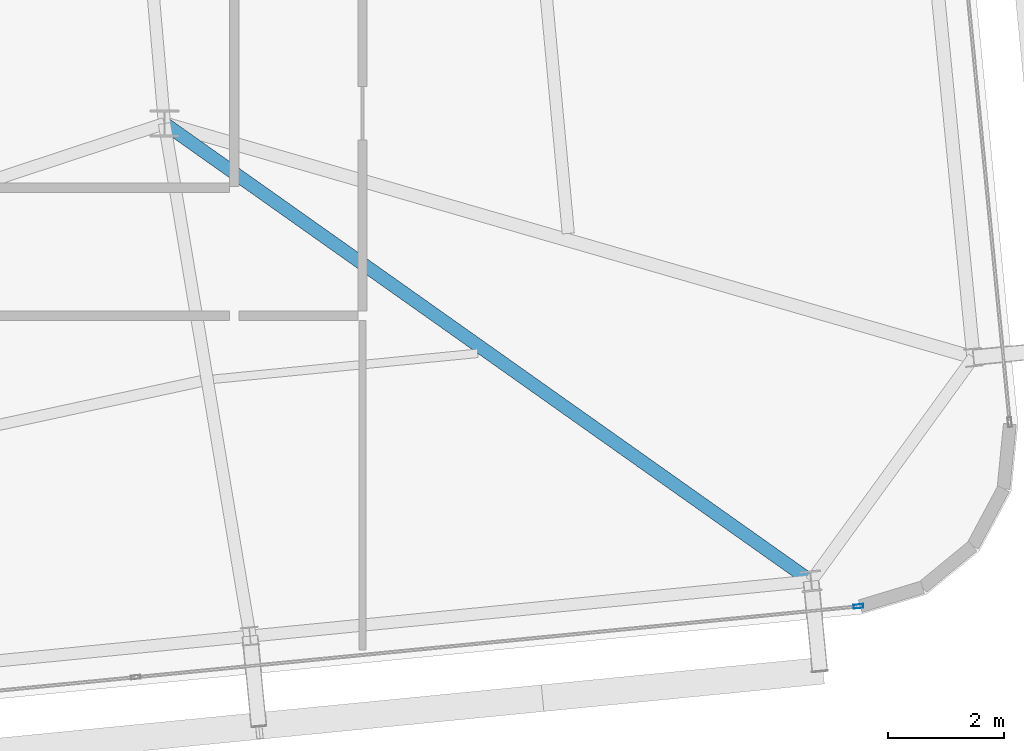
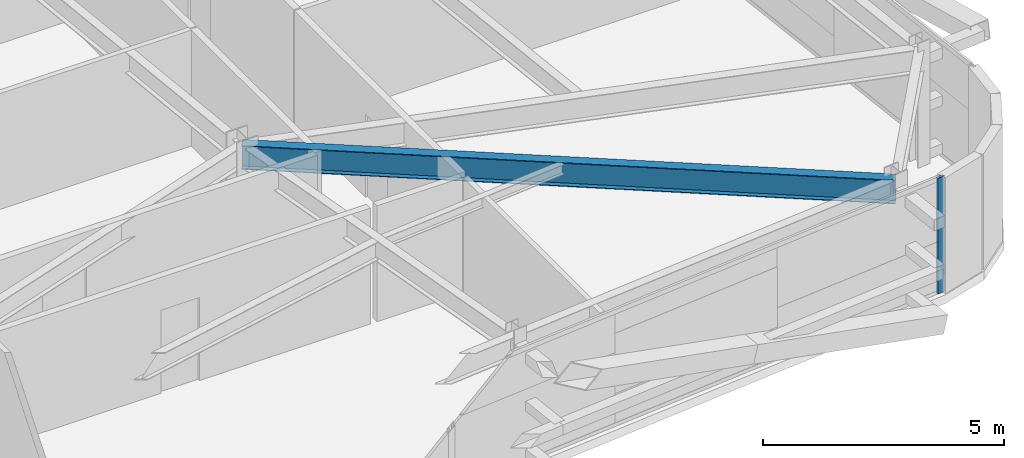
# One storey, part 17 of 47: 1 beam, 1 member, 1 element without a shape of its own.
"""IFC4 building model written with IfcOpenShell, lengths in metres."""

from ifc_helpers import new_model, si_unit, direction, frame, origin, origin_2d, place, context, subcontext, project, spatial, hollow_rectangle, i_section, extrude, source, transform, mapped, material, layer, layer_set, material_profile, profile_set, type_object, element, aggregate, save


model = new_model("IFC4")

# Units and contexts
model_context = context("Model", 3, precision=1e-05, world=origin(), true_north=direction((0.0, 1.0)))
body_context = subcontext(model_context, "Body", "Model", "MODEL_VIEW")
ifc_project = project(units=[si_unit("LENGTHUNIT", "METRE"), si_unit("AREAUNIT", "SQUARE_METRE"), si_unit("VOLUMEUNIT", "CUBIC_METRE"), si_unit("PLANEANGLEUNIT", "RADIAN"), si_unit("MASSUNIT", "GRAM", prefix="KILO")], contexts=[model_context])

# Site, building, storey
site_placement = place(None, origin())
site = spatial("IfcSite", under=ifc_project, at=site_placement, CompositionType="ELEMENT")
building_placement = place(site_placement, origin())
building = spatial("IfcBuilding", under=site, at=building_placement, Name="Taldren Reach Tower", CompositionType="ELEMENT")
storey_placement = place(building_placement, frame((0.0, 0.0, 90.300048828125)))
storey = spatial("IfcBuildingStorey", under=building, at=storey_placement, Name="L27", CompositionType="ELEMENT", Elevation=90.300048828125)

# Beam
ifc_material_1 = material(Name="Steel Gr 350 (350PLUS)", Category="steel")
ifc_material_profile_1 = material_profile(ifc_material_1, i_section(OverallWidth=0.22802734375, OverallDepth=0.60205078125, WebThickness=0.010498046875, FlangeThickness=0.014892578125, at=origin_2d()), Name="610UB101")
ifc_profile_set_1 = profile_set([ifc_material_profile_1], Name="Steel Gr 350 (350PLUS)")
beam_type = type_object("IfcBeamType", Name="BM-UB610B", PredefinedType="BEAM", material=ifc_profile_set_1)
shared_shape_1 = source(origin(), body_context, "Body", "SweptSolid", [
    extrude(i_section(OverallWidth=0.22802734375, OverallDepth=0.60205078125, WebThickness=0.010498046875, FlangeThickness=0.014892578125, at=origin_2d()), origin(), (0.0, 0.0, 1.0), 13.60205078125),
])
beam_placement = place(storey_placement, frame((52.0, 12.5, 2.62890625), z_axis=(0.816297773281, -0.577631323022, 0.0), x_axis=(0.577631323022, 0.816297773281, 0.0)))
element("IfcBeam", 1, at=beam_placement, inside=storey, type_object=beam_type, Name="Primary floor girder B2-S6 L27", PredefinedType="BEAM", context=body_context, shape_type="MappedRepresentation", body=[
    mapped(shared_shape_1, transform((0.0, 0.0, 0.0), scale=1.0)),
])

# Curtain wall, member
ifc_material_2 = material(Name="Aluminium and Low-E Glass Unitised System", Category="aluminium")
ifc_layer = layer(ifc_material_2, 0.159912109375)
ifc_layer_set = layer_set([ifc_layer], Name="Aluminium and Low-E Glass Unitised System")
curtain_wall_type = type_object("IfcCurtainWallType", Name="CW-SYS-3", PredefinedType="NOTDEFINED", material=ifc_layer_set)
curtain_wall_placement = place(storey_placement, origin())
curtain_wall = element("IfcCurtainWall", 2, at=curtain_wall_placement, inside=storey, type_object=curtain_wall_type, Name="Unitised curtain wall CW-L27-S", PredefinedType="NOTDEFINED")
ifc_material_3 = material(Name="Anodised Aluminium 6063-T6", Category="aluminium")
ifc_material_profile_2 = material_profile(ifc_material_3, hollow_rectangle(XDim=0.06494140625, YDim=0.1650390625, WallThickness=0.00390625, at=origin_2d()), Name="ALU-165x65x4RHS")
ifc_profile_set_2 = profile_set([ifc_material_profile_2], Name="Anodised Aluminium 6063-T6")
member_type = type_object("IfcMemberType", Name="CW-MUL-165", PredefinedType="MULLION", material=ifc_profile_set_2)
shared_shape_2 = source(origin(), body_context, "Body", "SweptSolid", [
    extrude(hollow_rectangle(XDim=0.06494140625, YDim=0.1650390625, WallThickness=0.00390625, at=origin_2d()), origin(), (0.0, 0.0, 1.0), 2.929931640625),
])
member_placement = place(storey_placement, frame((63.916748046875, 4.21044921875, 0.0), z_axis=(0.0, 0.0, 1.0), x_axis=(-0.097582999046, 0.995227390247, 0.0)))
member = element("IfcMember", 3, at=member_placement, type_object=member_type, Name="CW-3 mullion 5", PredefinedType="MULLION", context=body_context, shape_type="MappedRepresentation", body=[
    mapped(shared_shape_2, transform((0.0, 0.0, 0.0), scale=1.0)),
])
aggregate(curtain_wall, [member])

save(model, "model.ifc")
